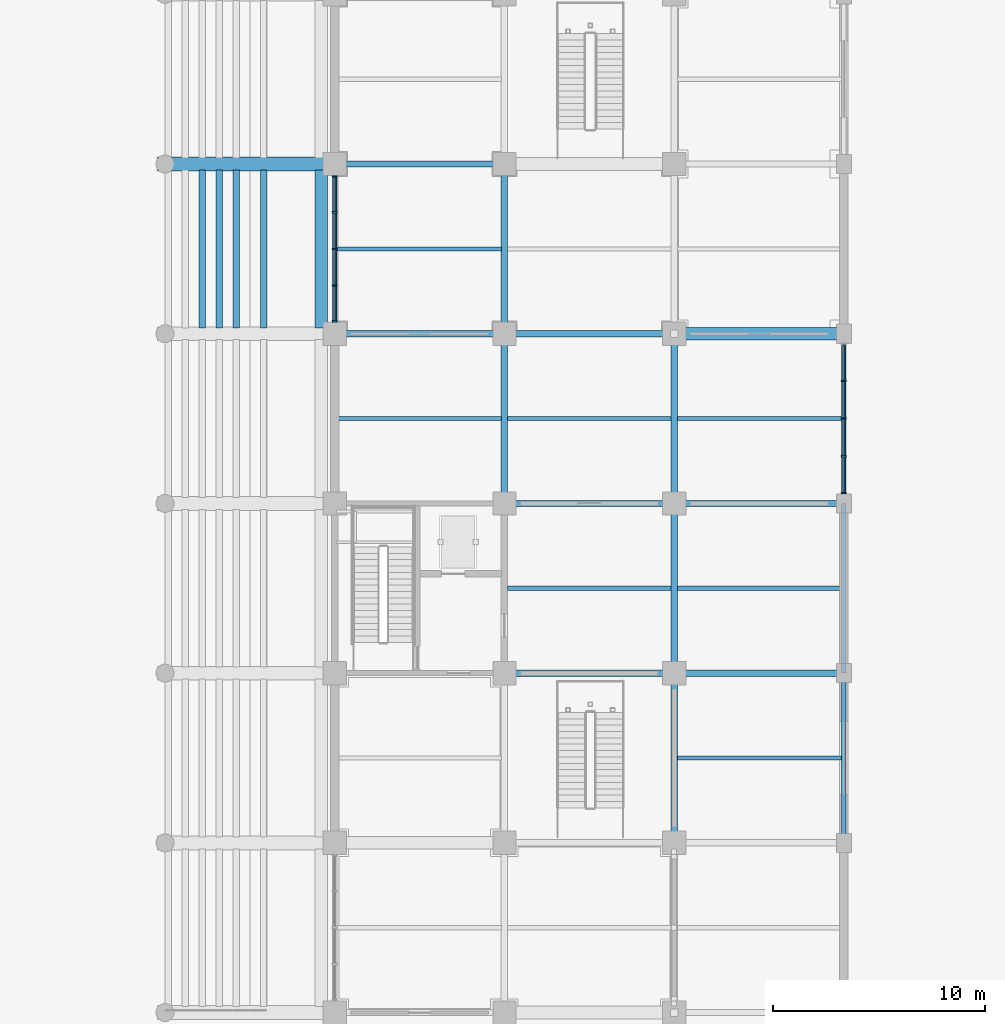
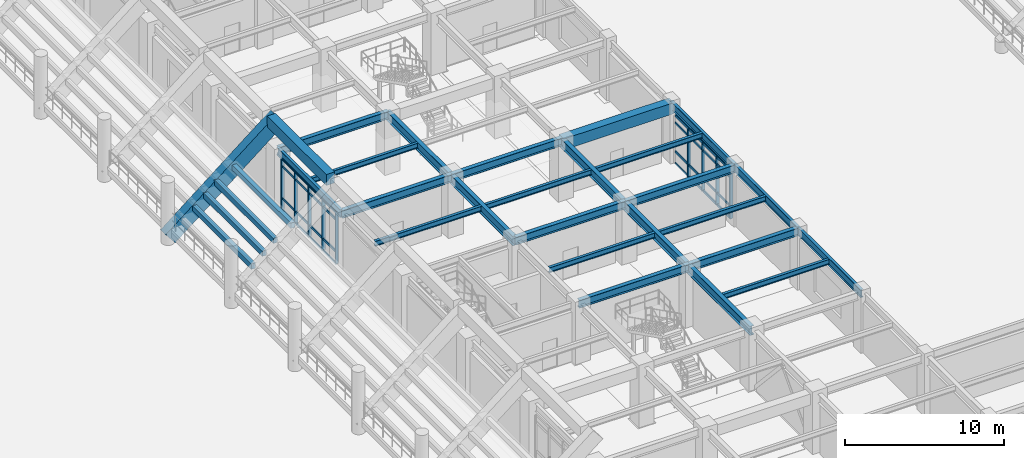
# One storey, part 36 of 125: 41 members, 30 beams, 2 elements without a shape of their own.
"""IFC4 building model written with IfcOpenShell, lengths in metres."""

from ifc_helpers import new_model, si_unit, direction, frame, origin, origin_2d, place, context, subcontext, project, spatial, rectangle, i_section, extrude, material, layer, layer_set, material_profile, profile_set, type_object, element, aggregate, save


model = new_model("IFC4")

# Units and contexts
model_context = context("Model", 3, precision=1e-05, world=origin(), true_north=direction((0.0, 1.0)))
body_context = subcontext(model_context, "Body", "Model", "MODEL_VIEW")
ifc_project = project(units=[si_unit("LENGTHUNIT", "METRE"), si_unit("AREAUNIT", "SQUARE_METRE"), si_unit("VOLUMEUNIT", "CUBIC_METRE"), si_unit("PLANEANGLEUNIT", "RADIAN"), si_unit("MASSUNIT", "GRAM", prefix="KILO")], contexts=[model_context])

# Site, building, storey
site_placement = place(None, origin())
site = spatial("IfcSite", under=ifc_project, at=site_placement, CompositionType="ELEMENT")
building_placement = place(site_placement, origin())
building = spatial("IfcBuilding", under=site, at=building_placement, Name="Haebicheon Civic Stadium", CompositionType="ELEMENT")
storey_placement = place(building_placement, origin())
storey = spatial("IfcBuildingStorey", under=building, at=storey_placement, Name="L01", CompositionType="ELEMENT", Elevation=0.0)

# Beams
ifc_material_1 = material(Name="Precast concrete C40/50", Category="concrete")
ifc_material_profile_1 = material_profile(ifc_material_1, rectangle(XDim=0.300048828125, YDim=0.39990234375, at=origin_2d()), Name="PC-LN-300x400")
ifc_profile_set_1 = profile_set([ifc_material_profile_1], Name="Precast concrete C40/50")
beam_type_1 = type_object("IfcBeamType", Name="BM-LN-300x400", PredefinedType="LINTEL", material=ifc_profile_set_1)
for number, where, z_axis, x_axis, name in (
    (1, (137.760009765625, 80.280029296875, 2.181884765625), (0.0, 1.0, 0.0), (-1.0, 0.0, 0.0), "TIER-E-L precast step carrier beam 5.3"),
    (2, (138.56005859375, 80.280029296875, 2.89306640625), (0.0, 1.0, 0.0), (-1.0, 0.0, 0.0), "TIER-E-L precast step carrier beam 5.4"),
    (3, (139.360107421875, 80.280029296875, 3.60400390625), (0.0, 1.0, 0.0), (-1.0, 0.0, 0.0), "TIER-E-L precast step carrier beam 5.5"),
    (4, (140.639892578125, 80.280029296875, 4.31591796875), (0.0, 1.0, 0.0), (-1.0, 0.0, 0.0), "TIER-E-L precast step carrier beam 5.6"),
):
    element("IfcBeam", number, at=place(storey_placement, frame(where, z_axis=z_axis, x_axis=x_axis)), inside=storey, type_object=beam_type_1, material=ifc_profile_set_1, Name=name, PredefinedType="LINTEL", context=body_context, shape_type="SweptSolid", body=[
        extrude(rectangle(XDim=0.300048828125, YDim=0.39990234375, at=origin_2d()), origin(), (0.0, 0.0, 1.0), 7.43994140625),
    ])
ifc_material_2 = material(Name="Steel SM355 (S355)", Category="steel")
ifc_material_profile_2 = material_profile(ifc_material_2, i_section(OverallWidth=0.300048828125, OverallDepth=0.60009765625, WebThickness=0.011962890625, FlangeThickness=0.02001953125, at=origin_2d()), Name="H-600x300x12x20")
ifc_profile_set_2 = profile_set([ifc_material_profile_2], Name="Steel SM355 (S355)")
beam_type_2 = type_object("IfcBeamType", Name="BM-ST-H600A", PredefinedType="BEAM", material=ifc_profile_set_2)
for number, where, z_axis, x_axis, name in (
    (5, (144.0, 80.0, 4.219970703125), (1.0, 0.0, 0.0), (0.0, 1.0, 0.0), "L01 beam L/19-20"),
    (6, (144.0, 88.0, 4.219970703125), (1.0, 0.0, 0.0), (0.0, 1.0, 0.0), "L01 beam M/19-20"),
    (7, (152.0, 64.0, 4.219970703125), (1.0, 0.0, 0.0), (0.0, 1.0, 0.0), "L01 beam J/20-21"),
    (8, (152.0, 72.0, 4.219970703125), (1.0, 0.0, 0.0), (0.0, 1.0, 0.0), "L01 beam K/20-21"),
    (9, (152.0, 80.0, 4.219970703125), (1.0, 0.0, 0.0), (0.0, 1.0, 0.0), "L01 beam L/20-21"),
    (10, (160.0, 64.0, 4.219970703125), (1.0, 0.0, 0.0), (0.0, 1.0, 0.0), "L01 beam J/21-22"),
    (11, (160.0, 72.0, 4.219970703125), (1.0, 0.0, 0.0), (0.0, 1.0, 0.0), "L01 beam K/21-22"),
):
    element("IfcBeam", number, at=place(storey_placement, frame(where, z_axis=z_axis, x_axis=x_axis)), inside=storey, type_object=beam_type_2, material=ifc_profile_set_2, Name=name, PredefinedType="BEAM", context=body_context, shape_type="SweptSolid", body=[
        extrude(i_section(OverallWidth=0.300048828125, OverallDepth=0.60009765625, WebThickness=0.011962890625, FlangeThickness=0.02001953125, at=origin_2d()), origin(), (0.0, 0.0, 1.0), 8.0),
    ])
ifc_material_3 = material(Name="Steel SM490", Category="steel")
ifc_material_profile_3 = material_profile(ifc_material_3, i_section(OverallWidth=0.300048828125, OverallDepth=0.699951171875, WebThickness=0.012939453125, FlangeThickness=0.02392578125, at=origin_2d()), Name="H-700x300x13x24")
ifc_profile_set_3 = profile_set([ifc_material_profile_3], Name="Steel SM490")
beam_type_3 = type_object("IfcBeamType", Name="BM-ST-H700", PredefinedType="BEAM", material=ifc_profile_set_3)
for number, where, z_axis, x_axis, name in (
    (12, (152.0, 72.0, 4.169921875), (0.0, 1.0, 0.0), (-1.0, 0.0, 0.0), "L01 girder 20/K-L"),
    (13, (152.0, 80.0, 4.169921875), (0.0, 1.0, 0.0), (-1.0, 0.0, 0.0), "L01 girder 20/L-M"),
    (14, (160.0, 56.0, 4.169921875), (0.0, 1.0, 0.0), (-1.0, 0.0, 0.0), "L01 girder 21/H-J"),
    (15, (160.0, 64.0, 4.169921875), (0.0, 1.0, 0.0), (-1.0, 0.0, 0.0), "L01 girder 21/J-K"),
    (16, (160.0, 72.0, 4.169921875), (0.0, 1.0, 0.0), (-1.0, 0.0, 0.0), "L01 girder 21/K-L"),
):
    element("IfcBeam", number, at=place(storey_placement, frame(where, z_axis=z_axis, x_axis=x_axis)), inside=storey, type_object=beam_type_3, material=ifc_profile_set_3, Name=name, PredefinedType="BEAM", context=body_context, shape_type="SweptSolid", body=[
        extrude(i_section(OverallWidth=0.300048828125, OverallDepth=0.699951171875, WebThickness=0.012939453125, FlangeThickness=0.02392578125, at=origin_2d()), origin(), (0.0, 0.0, 1.0), 8.0),
    ])
ifc_material_4 = material(Name="Precast concrete C40/50", Category="concrete")
ifc_material_profile_4 = material_profile(ifc_material_4, rectangle(XDim=0.60009765625, YDim=0.85009765625, at=origin_2d()), Name="PC-TB-600x850")
ifc_profile_set_4 = profile_set([ifc_material_profile_4], Name="Precast concrete C40/50")
beam_type_4 = type_object("IfcBeamType", Name="BM-TB-600x850", PredefinedType="T_BEAM", material=ifc_profile_set_4)
beam_1_placement = place(storey_placement, frame((160.0, 80.0, 4.094970703125), z_axis=(1.0, 0.0, 0.0), x_axis=(0.0, 1.0, 0.0)))
element("IfcBeam", 17, at=beam_1_placement, inside=storey, type_object=beam_type_4, material=ifc_profile_set_4, Name="L01 beam L/21-22", PredefinedType="T_BEAM", context=body_context, shape_type="SweptSolid", body=[
    extrude(rectangle(XDim=0.60009765625, YDim=0.85009765625, at=origin_2d()), origin(), (0.0, 0.0, 1.0), 8.0),
])
beam_2_placement = place(storey_placement, frame((143.360107421875, 80.280029296875, 6.93505859375), z_axis=(0.0, 1.0, 0.0), x_axis=(-1.0, 0.0, 0.0)))
element("IfcBeam", 18, at=beam_2_placement, inside=storey, type_object=beam_type_4, material=ifc_profile_set_4, Name="TIER-E-L upper tier bench carrier beam 5", PredefinedType="T_BEAM", context=body_context, shape_type="SweptSolid", body=[
    extrude(rectangle(XDim=0.60009765625, YDim=0.85009765625, at=origin_2d()), origin(), (0.0, 0.0, 1.0), 7.43994140625),
])

# Curtain wall, members
ifc_material_5 = material(Name="Anodised aluminium and laminated glass", Category="aluminium")
ifc_layer_1 = layer(ifc_material_5, 0.179931640625, Name="Anodised aluminium and laminated glass")
ifc_layer_set_1 = layer_set([ifc_layer_1], Name="Anodised aluminium and laminated glass")
curtain_wall_type_1 = type_object("IfcCurtainWallType", Name="CW-6900x3910", PredefinedType="NOTDEFINED", material=ifc_layer_set_1)
curtain_wall_1_placement = place(storey_placement, origin())
curtain_wall_1 = element("IfcCurtainWall", 19, at=curtain_wall_1_placement, inside=storey, type_object=curtain_wall_type_1, material=ifc_layer_set_1, Name="L01 unitised curtain wall 014", PredefinedType="NOTDEFINED")
ifc_material_6 = material(Name="Anodised aluminium 6063-T6", Category="aluminium")
ifc_material_profile_5 = material_profile(ifc_material_6, rectangle(XDim=0.080078125, YDim=0.239990234375, at=origin_2d()), Name="ALU-MULL-80x240")
ifc_profile_set_5 = profile_set([ifc_material_profile_5], Name="Anodised aluminium 6063-T6")
member_type_1 = type_object("IfcMemberType", Name="CWM-240x80", PredefinedType="MULLION", material=ifc_profile_set_5)
member_1_placement = place(storey_placement, frame((144.0, 80.590087890625, 0.0), z_axis=(0.0, 0.0, 1.0), x_axis=(0.0, 1.0, 0.0)))
member_1 = element("IfcMember", 20, at=member_1_placement, type_object=member_type_1, material=ifc_profile_set_5, Name="CW-L01-014 vertical mullion 1", PredefinedType="MULLION", context=body_context, shape_type="SweptSolid", body=[
    extrude(rectangle(XDim=0.080078125, YDim=0.239990234375, at=origin_2d()), origin(), (0.0, 0.0, 1.0), 3.909912109375),
])
member_2_placement = place(storey_placement, frame((144.0, 82.27490234375, 0.0), z_axis=(0.0, 0.0, 1.0), x_axis=(0.0, 1.0, 0.0)))
member_2 = element("IfcMember", 21, at=member_2_placement, type_object=member_type_1, material=ifc_profile_set_5, Name="CW-L01-014 vertical mullion 2", PredefinedType="MULLION", context=body_context, shape_type="SweptSolid", body=[
    extrude(rectangle(XDim=0.080078125, YDim=0.239990234375, at=origin_2d()), origin(), (0.0, 0.0, 1.0), 3.909912109375),
])
member_3_placement = place(storey_placement, frame((144.0, 84.0, 0.0), z_axis=(0.0, 0.0, 1.0), x_axis=(0.0, 1.0, 0.0)))
member_3 = element("IfcMember", 22, at=member_3_placement, type_object=member_type_1, material=ifc_profile_set_5, Name="CW-L01-014 vertical mullion 3", PredefinedType="MULLION", context=body_context, shape_type="SweptSolid", body=[
    extrude(rectangle(XDim=0.080078125, YDim=0.239990234375, at=origin_2d()), origin(), (0.0, 0.0, 1.0), 3.909912109375),
])
member_4_placement = place(storey_placement, frame((144.0, 85.72509765625, 0.0), z_axis=(0.0, 0.0, 1.0), x_axis=(0.0, 1.0, 0.0)))
member_4 = element("IfcMember", 23, at=member_4_placement, type_object=member_type_1, material=ifc_profile_set_5, Name="CW-L01-014 vertical mullion 4", PredefinedType="MULLION", context=body_context, shape_type="SweptSolid", body=[
    extrude(rectangle(XDim=0.080078125, YDim=0.239990234375, at=origin_2d()), origin(), (0.0, 0.0, 1.0), 3.909912109375),
])
member_5_placement = place(storey_placement, frame((144.0, 87.409912109375, 0.0), z_axis=(0.0, 0.0, 1.0), x_axis=(0.0, 1.0, 0.0)))
member_5 = element("IfcMember", 24, at=member_5_placement, type_object=member_type_1, material=ifc_profile_set_5, Name="CW-L01-014 vertical mullion 5", PredefinedType="MULLION", context=body_context, shape_type="SweptSolid", body=[
    extrude(rectangle(XDim=0.080078125, YDim=0.239990234375, at=origin_2d()), origin(), (0.0, 0.0, 1.0), 3.909912109375),
])

ifc_material_7 = material(Name="Anodised aluminium and laminated glass", Category="aluminium")
ifc_layer_2 = layer(ifc_material_7, 0.179931640625, Name="Anodised aluminium and laminated glass")
ifc_layer_set_2 = layer_set([ifc_layer_2], Name="Anodised aluminium and laminated glass")
curtain_wall_type_2 = type_object("IfcCurtainWallType", Name="CW-7100x3660", PredefinedType="NOTDEFINED", material=ifc_layer_set_2)
curtain_wall_2_placement = place(storey_placement, origin())
curtain_wall_2 = element("IfcCurtainWall", 25, at=curtain_wall_2_placement, inside=storey, type_object=curtain_wall_type_2, material=ifc_layer_set_2, Name="L01 unitised curtain wall 018", PredefinedType="NOTDEFINED")
member_6_placement = place(storey_placement, frame((168.0, 72.489990234375, 0.0), z_axis=(0.0, 0.0, 1.0), x_axis=(0.0, 1.0, 0.0)))
member_6 = element("IfcMember", 26, at=member_6_placement, type_object=member_type_1, material=ifc_profile_set_5, Name="CW-L01-018 vertical mullion 1", PredefinedType="MULLION", context=body_context, shape_type="SweptSolid", body=[
    extrude(rectangle(XDim=0.080078125, YDim=0.239990234375, at=origin_2d()), origin(), (0.0, 0.0, 1.0), 3.659912109375),
])
member_7_placement = place(storey_placement, frame((168.0, 74.22509765625, 0.0), z_axis=(0.0, 0.0, 1.0), x_axis=(0.0, 1.0, 0.0)))
member_7 = element("IfcMember", 27, at=member_7_placement, type_object=member_type_1, material=ifc_profile_set_5, Name="CW-L01-018 vertical mullion 2", PredefinedType="MULLION", context=body_context, shape_type="SweptSolid", body=[
    extrude(rectangle(XDim=0.080078125, YDim=0.239990234375, at=origin_2d()), origin(), (0.0, 0.0, 1.0), 3.659912109375),
])
member_8_placement = place(storey_placement, frame((168.0, 76.0, 0.0), z_axis=(0.0, 0.0, 1.0), x_axis=(0.0, 1.0, 0.0)))
member_8 = element("IfcMember", 28, at=member_8_placement, type_object=member_type_1, material=ifc_profile_set_5, Name="CW-L01-018 vertical mullion 3", PredefinedType="MULLION", context=body_context, shape_type="SweptSolid", body=[
    extrude(rectangle(XDim=0.080078125, YDim=0.239990234375, at=origin_2d()), origin(), (0.0, 0.0, 1.0), 3.659912109375),
])
member_9_placement = place(storey_placement, frame((168.0, 77.77490234375, 0.0), z_axis=(0.0, 0.0, 1.0), x_axis=(0.0, 1.0, 0.0)))
member_9 = element("IfcMember", 29, at=member_9_placement, type_object=member_type_1, material=ifc_profile_set_5, Name="CW-L01-018 vertical mullion 4", PredefinedType="MULLION", context=body_context, shape_type="SweptSolid", body=[
    extrude(rectangle(XDim=0.080078125, YDim=0.239990234375, at=origin_2d()), origin(), (0.0, 0.0, 1.0), 3.659912109375),
])

# Member
ifc_material_8 = material(Name="Anodised aluminium 6063-T6", Category="aluminium")
ifc_material_profile_6 = material_profile(ifc_material_8, rectangle(XDim=0.080078125, YDim=0.179931640625, at=origin_2d()), Name="ALU-TRAN-80x180")
ifc_profile_set_6 = profile_set([ifc_material_profile_6], Name="Anodised aluminium 6063-T6")
member_type_2 = type_object("IfcMemberType", Name="CWT-180x80", PredefinedType="NOTDEFINED", material=ifc_profile_set_6)
member_10_placement = place(storey_placement, frame((144.0, 80.6298828125, 0.0), z_axis=(0.0, 1.0, 0.0), x_axis=(-1.0, 0.0, 0.0)))
member_10 = element("IfcMember", 30, at=member_10_placement, type_object=member_type_2, material=ifc_profile_set_6, Name="CW-L01-014 horizontal transom 1.1", ObjectType="TRANSOM", PredefinedType="USERDEFINED", context=body_context, shape_type="SweptSolid", body=[
    extrude(rectangle(XDim=0.080078125, YDim=0.179931640625, at=origin_2d()), origin(), (0.0, 0.0, 1.0), 1.605224609375),
])

member_11_placement = place(storey_placement, frame((144.0, 80.6298828125, 0.89990234375), z_axis=(0.0, 1.0, 0.0), x_axis=(-1.0, 0.0, 0.0)))
member_11 = element("IfcMember", 31, at=member_11_placement, type_object=member_type_2, material=ifc_profile_set_6, Name="CW-L01-014 horizontal transom 1.2", ObjectType="TRANSOM", PredefinedType="USERDEFINED", context=body_context, shape_type="SweptSolid", body=[
    extrude(rectangle(XDim=0.080078125, YDim=0.179931640625, at=origin_2d()), origin(), (0.0, 0.0, 1.0), 1.605224609375),
])

member_12_placement = place(storey_placement, frame((144.0, 80.6298828125, 3.360107421875), z_axis=(0.0, 1.0, 0.0), x_axis=(-1.0, 0.0, 0.0)))
member_12 = element("IfcMember", 32, at=member_12_placement, type_object=member_type_2, material=ifc_profile_set_6, Name="CW-L01-014 horizontal transom 1.3", ObjectType="TRANSOM", PredefinedType="USERDEFINED", context=body_context, shape_type="SweptSolid", body=[
    extrude(rectangle(XDim=0.080078125, YDim=0.179931640625, at=origin_2d()), origin(), (0.0, 0.0, 1.0), 1.605224609375),
])

member_13_placement = place(storey_placement, frame((144.0, 80.6298828125, 3.909912109375), z_axis=(0.0, 1.0, 0.0), x_axis=(-1.0, 0.0, 0.0)))
member_13 = element("IfcMember", 33, at=member_13_placement, type_object=member_type_2, material=ifc_profile_set_6, Name="CW-L01-014 horizontal transom 1.4", ObjectType="TRANSOM", PredefinedType="USERDEFINED", context=body_context, shape_type="SweptSolid", body=[
    extrude(rectangle(XDim=0.080078125, YDim=0.179931640625, at=origin_2d()), origin(), (0.0, 0.0, 1.0), 1.605224609375),
])

member_14_placement = place(storey_placement, frame((144.0, 82.31494140625, 0.0), z_axis=(0.0, 1.0, 0.0), x_axis=(-1.0, 0.0, 0.0)))
member_14 = element("IfcMember", 34, at=member_14_placement, type_object=member_type_2, material=ifc_profile_set_6, Name="CW-L01-014 horizontal transom 2.1", ObjectType="TRANSOM", PredefinedType="USERDEFINED", context=body_context, shape_type="SweptSolid", body=[
    extrude(rectangle(XDim=0.080078125, YDim=0.179931640625, at=origin_2d()), origin(), (0.0, 0.0, 1.0), 1.64501953125),
])

member_15_placement = place(storey_placement, frame((144.0, 82.31494140625, 0.89990234375), z_axis=(0.0, 1.0, 0.0), x_axis=(-1.0, 0.0, 0.0)))
member_15 = element("IfcMember", 35, at=member_15_placement, type_object=member_type_2, material=ifc_profile_set_6, Name="CW-L01-014 horizontal transom 2.2", ObjectType="TRANSOM", PredefinedType="USERDEFINED", context=body_context, shape_type="SweptSolid", body=[
    extrude(rectangle(XDim=0.080078125, YDim=0.179931640625, at=origin_2d()), origin(), (0.0, 0.0, 1.0), 1.64501953125),
])

member_16_placement = place(storey_placement, frame((144.0, 82.31494140625, 3.360107421875), z_axis=(0.0, 1.0, 0.0), x_axis=(-1.0, 0.0, 0.0)))
member_16 = element("IfcMember", 36, at=member_16_placement, type_object=member_type_2, material=ifc_profile_set_6, Name="CW-L01-014 horizontal transom 2.3", ObjectType="TRANSOM", PredefinedType="USERDEFINED", context=body_context, shape_type="SweptSolid", body=[
    extrude(rectangle(XDim=0.080078125, YDim=0.179931640625, at=origin_2d()), origin(), (0.0, 0.0, 1.0), 1.64501953125),
])

member_17_placement = place(storey_placement, frame((144.0, 82.31494140625, 3.909912109375), z_axis=(0.0, 1.0, 0.0), x_axis=(-1.0, 0.0, 0.0)))
member_17 = element("IfcMember", 37, at=member_17_placement, type_object=member_type_2, material=ifc_profile_set_6, Name="CW-L01-014 horizontal transom 2.4", ObjectType="TRANSOM", PredefinedType="USERDEFINED", context=body_context, shape_type="SweptSolid", body=[
    extrude(rectangle(XDim=0.080078125, YDim=0.179931640625, at=origin_2d()), origin(), (0.0, 0.0, 1.0), 1.64501953125),
])

member_18_placement = place(storey_placement, frame((144.0, 84.0400390625, 0.0), z_axis=(0.0, 1.0, 0.0), x_axis=(-1.0, 0.0, 0.0)))
member_18 = element("IfcMember", 38, at=member_18_placement, type_object=member_type_2, material=ifc_profile_set_6, Name="CW-L01-014 horizontal transom 3.1", ObjectType="TRANSOM", PredefinedType="USERDEFINED", context=body_context, shape_type="SweptSolid", body=[
    extrude(rectangle(XDim=0.080078125, YDim=0.179931640625, at=origin_2d()), origin(), (0.0, 0.0, 1.0), 1.64501953125),
])

member_19_placement = place(storey_placement, frame((144.0, 84.0400390625, 0.89990234375), z_axis=(0.0, 1.0, 0.0), x_axis=(-1.0, 0.0, 0.0)))
member_19 = element("IfcMember", 39, at=member_19_placement, type_object=member_type_2, material=ifc_profile_set_6, Name="CW-L01-014 horizontal transom 3.2", ObjectType="TRANSOM", PredefinedType="USERDEFINED", context=body_context, shape_type="SweptSolid", body=[
    extrude(rectangle(XDim=0.080078125, YDim=0.179931640625, at=origin_2d()), origin(), (0.0, 0.0, 1.0), 1.64501953125),
])

member_20_placement = place(storey_placement, frame((144.0, 84.0400390625, 3.360107421875), z_axis=(0.0, 1.0, 0.0), x_axis=(-1.0, 0.0, 0.0)))
member_20 = element("IfcMember", 40, at=member_20_placement, type_object=member_type_2, material=ifc_profile_set_6, Name="CW-L01-014 horizontal transom 3.3", ObjectType="TRANSOM", PredefinedType="USERDEFINED", context=body_context, shape_type="SweptSolid", body=[
    extrude(rectangle(XDim=0.080078125, YDim=0.179931640625, at=origin_2d()), origin(), (0.0, 0.0, 1.0), 1.64501953125),
])

member_21_placement = place(storey_placement, frame((144.0, 84.0400390625, 3.909912109375), z_axis=(0.0, 1.0, 0.0), x_axis=(-1.0, 0.0, 0.0)))
member_21 = element("IfcMember", 41, at=member_21_placement, type_object=member_type_2, material=ifc_profile_set_6, Name="CW-L01-014 horizontal transom 3.4", ObjectType="TRANSOM", PredefinedType="USERDEFINED", context=body_context, shape_type="SweptSolid", body=[
    extrude(rectangle(XDim=0.080078125, YDim=0.179931640625, at=origin_2d()), origin(), (0.0, 0.0, 1.0), 1.64501953125),
])

member_22_placement = place(storey_placement, frame((144.0, 85.764892578125, 0.0), z_axis=(0.0, 1.0, 0.0), x_axis=(-1.0, 0.0, 0.0)))
member_22 = element("IfcMember", 42, at=member_22_placement, type_object=member_type_2, material=ifc_profile_set_6, Name="CW-L01-014 horizontal transom 4.1", ObjectType="TRANSOM", PredefinedType="USERDEFINED", context=body_context, shape_type="SweptSolid", body=[
    extrude(rectangle(XDim=0.080078125, YDim=0.179931640625, at=origin_2d()), origin(), (0.0, 0.0, 1.0), 1.605224609375),
])

member_23_placement = place(storey_placement, frame((144.0, 85.764892578125, 0.89990234375), z_axis=(0.0, 1.0, 0.0), x_axis=(-1.0, 0.0, 0.0)))
member_23 = element("IfcMember", 43, at=member_23_placement, type_object=member_type_2, material=ifc_profile_set_6, Name="CW-L01-014 horizontal transom 4.2", ObjectType="TRANSOM", PredefinedType="USERDEFINED", context=body_context, shape_type="SweptSolid", body=[
    extrude(rectangle(XDim=0.080078125, YDim=0.179931640625, at=origin_2d()), origin(), (0.0, 0.0, 1.0), 1.605224609375),
])

member_24_placement = place(storey_placement, frame((144.0, 85.764892578125, 3.360107421875), z_axis=(0.0, 1.0, 0.0), x_axis=(-1.0, 0.0, 0.0)))
member_24 = element("IfcMember", 44, at=member_24_placement, type_object=member_type_2, material=ifc_profile_set_6, Name="CW-L01-014 horizontal transom 4.3", ObjectType="TRANSOM", PredefinedType="USERDEFINED", context=body_context, shape_type="SweptSolid", body=[
    extrude(rectangle(XDim=0.080078125, YDim=0.179931640625, at=origin_2d()), origin(), (0.0, 0.0, 1.0), 1.605224609375),
])

member_25_placement = place(storey_placement, frame((144.0, 85.764892578125, 3.909912109375), z_axis=(0.0, 1.0, 0.0), x_axis=(-1.0, 0.0, 0.0)))
member_25 = element("IfcMember", 45, at=member_25_placement, type_object=member_type_2, material=ifc_profile_set_6, Name="CW-L01-014 horizontal transom 4.4", ObjectType="TRANSOM", PredefinedType="USERDEFINED", context=body_context, shape_type="SweptSolid", body=[
    extrude(rectangle(XDim=0.080078125, YDim=0.179931640625, at=origin_2d()), origin(), (0.0, 0.0, 1.0), 1.605224609375),
])

aggregate(curtain_wall_1, [member_1, member_2, member_3, member_4, member_5, member_10, member_11, member_12, member_13, member_14, member_15, member_16, member_17, member_18, member_19, member_20, member_21, member_22, member_23, member_24, member_25])

member_26_placement = place(storey_placement, frame((168.0, 72.530029296875, 0.0), z_axis=(0.0, 1.0, 0.0), x_axis=(-1.0, 0.0, 0.0)))
member_26 = element("IfcMember", 46, at=member_26_placement, type_object=member_type_2, material=ifc_profile_set_6, Name="CW-L01-018 horizontal transom 1.1", ObjectType="TRANSOM", PredefinedType="USERDEFINED", context=body_context, shape_type="SweptSolid", body=[
    extrude(rectangle(XDim=0.080078125, YDim=0.179931640625, at=origin_2d()), origin(), (0.0, 0.0, 1.0), 1.655029296875),
])

member_27_placement = place(storey_placement, frame((168.0, 72.530029296875, 0.89990234375), z_axis=(0.0, 1.0, 0.0), x_axis=(-1.0, 0.0, 0.0)))
member_27 = element("IfcMember", 47, at=member_27_placement, type_object=member_type_2, material=ifc_profile_set_6, Name="CW-L01-018 horizontal transom 1.2", ObjectType="TRANSOM", PredefinedType="USERDEFINED", context=body_context, shape_type="SweptSolid", body=[
    extrude(rectangle(XDim=0.080078125, YDim=0.179931640625, at=origin_2d()), origin(), (0.0, 0.0, 1.0), 1.655029296875),
])

member_28_placement = place(storey_placement, frame((168.0, 72.530029296875, 3.110107421875), z_axis=(0.0, 1.0, 0.0), x_axis=(-1.0, 0.0, 0.0)))
member_28 = element("IfcMember", 48, at=member_28_placement, type_object=member_type_2, material=ifc_profile_set_6, Name="CW-L01-018 horizontal transom 1.3", ObjectType="TRANSOM", PredefinedType="USERDEFINED", context=body_context, shape_type="SweptSolid", body=[
    extrude(rectangle(XDim=0.080078125, YDim=0.179931640625, at=origin_2d()), origin(), (0.0, 0.0, 1.0), 1.655029296875),
])

member_29_placement = place(storey_placement, frame((168.0, 72.530029296875, 3.659912109375), z_axis=(0.0, 1.0, 0.0), x_axis=(-1.0, 0.0, 0.0)))
member_29 = element("IfcMember", 49, at=member_29_placement, type_object=member_type_2, material=ifc_profile_set_6, Name="CW-L01-018 horizontal transom 1.4", ObjectType="TRANSOM", PredefinedType="USERDEFINED", context=body_context, shape_type="SweptSolid", body=[
    extrude(rectangle(XDim=0.080078125, YDim=0.179931640625, at=origin_2d()), origin(), (0.0, 0.0, 1.0), 1.655029296875),
])

member_30_placement = place(storey_placement, frame((168.0, 74.264892578125, 0.0), z_axis=(0.0, 1.0, 0.0), x_axis=(-1.0, 0.0, 0.0)))
member_30 = element("IfcMember", 50, at=member_30_placement, type_object=member_type_2, material=ifc_profile_set_6, Name="CW-L01-018 horizontal transom 2.1", ObjectType="TRANSOM", PredefinedType="USERDEFINED", context=body_context, shape_type="SweptSolid", body=[
    extrude(rectangle(XDim=0.080078125, YDim=0.179931640625, at=origin_2d()), origin(), (0.0, 0.0, 1.0), 1.695068359375),
])

member_31_placement = place(storey_placement, frame((168.0, 74.264892578125, 0.89990234375), z_axis=(0.0, 1.0, 0.0), x_axis=(-1.0, 0.0, 0.0)))
member_31 = element("IfcMember", 51, at=member_31_placement, type_object=member_type_2, material=ifc_profile_set_6, Name="CW-L01-018 horizontal transom 2.2", ObjectType="TRANSOM", PredefinedType="USERDEFINED", context=body_context, shape_type="SweptSolid", body=[
    extrude(rectangle(XDim=0.080078125, YDim=0.179931640625, at=origin_2d()), origin(), (0.0, 0.0, 1.0), 1.695068359375),
])

member_32_placement = place(storey_placement, frame((168.0, 74.264892578125, 3.110107421875), z_axis=(0.0, 1.0, 0.0), x_axis=(-1.0, 0.0, 0.0)))
member_32 = element("IfcMember", 52, at=member_32_placement, type_object=member_type_2, material=ifc_profile_set_6, Name="CW-L01-018 horizontal transom 2.3", ObjectType="TRANSOM", PredefinedType="USERDEFINED", context=body_context, shape_type="SweptSolid", body=[
    extrude(rectangle(XDim=0.080078125, YDim=0.179931640625, at=origin_2d()), origin(), (0.0, 0.0, 1.0), 1.695068359375),
])

member_33_placement = place(storey_placement, frame((168.0, 74.264892578125, 3.659912109375), z_axis=(0.0, 1.0, 0.0), x_axis=(-1.0, 0.0, 0.0)))
member_33 = element("IfcMember", 53, at=member_33_placement, type_object=member_type_2, material=ifc_profile_set_6, Name="CW-L01-018 horizontal transom 2.4", ObjectType="TRANSOM", PredefinedType="USERDEFINED", context=body_context, shape_type="SweptSolid", body=[
    extrude(rectangle(XDim=0.080078125, YDim=0.179931640625, at=origin_2d()), origin(), (0.0, 0.0, 1.0), 1.695068359375),
])

member_34_placement = place(storey_placement, frame((168.0, 76.0400390625, 0.0), z_axis=(0.0, 1.0, 0.0), x_axis=(-1.0, 0.0, 0.0)))
member_34 = element("IfcMember", 54, at=member_34_placement, type_object=member_type_2, material=ifc_profile_set_6, Name="CW-L01-018 horizontal transom 3.1", ObjectType="TRANSOM", PredefinedType="USERDEFINED", context=body_context, shape_type="SweptSolid", body=[
    extrude(rectangle(XDim=0.080078125, YDim=0.179931640625, at=origin_2d()), origin(), (0.0, 0.0, 1.0), 1.695068359375),
])

member_35_placement = place(storey_placement, frame((168.0, 76.0400390625, 0.89990234375), z_axis=(0.0, 1.0, 0.0), x_axis=(-1.0, 0.0, 0.0)))
member_35 = element("IfcMember", 55, at=member_35_placement, type_object=member_type_2, material=ifc_profile_set_6, Name="CW-L01-018 horizontal transom 3.2", ObjectType="TRANSOM", PredefinedType="USERDEFINED", context=body_context, shape_type="SweptSolid", body=[
    extrude(rectangle(XDim=0.080078125, YDim=0.179931640625, at=origin_2d()), origin(), (0.0, 0.0, 1.0), 1.695068359375),
])

member_36_placement = place(storey_placement, frame((168.0, 76.0400390625, 3.110107421875), z_axis=(0.0, 1.0, 0.0), x_axis=(-1.0, 0.0, 0.0)))
member_36 = element("IfcMember", 56, at=member_36_placement, type_object=member_type_2, material=ifc_profile_set_6, Name="CW-L01-018 horizontal transom 3.3", ObjectType="TRANSOM", PredefinedType="USERDEFINED", context=body_context, shape_type="SweptSolid", body=[
    extrude(rectangle(XDim=0.080078125, YDim=0.179931640625, at=origin_2d()), origin(), (0.0, 0.0, 1.0), 1.695068359375),
])

member_37_placement = place(storey_placement, frame((168.0, 76.0400390625, 3.659912109375), z_axis=(0.0, 1.0, 0.0), x_axis=(-1.0, 0.0, 0.0)))
member_37 = element("IfcMember", 57, at=member_37_placement, type_object=member_type_2, material=ifc_profile_set_6, Name="CW-L01-018 horizontal transom 3.4", ObjectType="TRANSOM", PredefinedType="USERDEFINED", context=body_context, shape_type="SweptSolid", body=[
    extrude(rectangle(XDim=0.080078125, YDim=0.179931640625, at=origin_2d()), origin(), (0.0, 0.0, 1.0), 1.695068359375),
])

member_38_placement = place(storey_placement, frame((168.0, 77.81494140625, 0.0), z_axis=(0.0, 1.0, 0.0), x_axis=(-1.0, 0.0, 0.0)))
member_38 = element("IfcMember", 58, at=member_38_placement, type_object=member_type_2, material=ifc_profile_set_6, Name="CW-L01-018 horizontal transom 4.1", ObjectType="TRANSOM", PredefinedType="USERDEFINED", context=body_context, shape_type="SweptSolid", body=[
    extrude(rectangle(XDim=0.080078125, YDim=0.179931640625, at=origin_2d()), origin(), (0.0, 0.0, 1.0), 1.655029296875),
])

member_39_placement = place(storey_placement, frame((168.0, 77.81494140625, 0.89990234375), z_axis=(0.0, 1.0, 0.0), x_axis=(-1.0, 0.0, 0.0)))
member_39 = element("IfcMember", 59, at=member_39_placement, type_object=member_type_2, material=ifc_profile_set_6, Name="CW-L01-018 horizontal transom 4.2", ObjectType="TRANSOM", PredefinedType="USERDEFINED", context=body_context, shape_type="SweptSolid", body=[
    extrude(rectangle(XDim=0.080078125, YDim=0.179931640625, at=origin_2d()), origin(), (0.0, 0.0, 1.0), 1.655029296875),
])

member_40_placement = place(storey_placement, frame((168.0, 77.81494140625, 3.110107421875), z_axis=(0.0, 1.0, 0.0), x_axis=(-1.0, 0.0, 0.0)))
member_40 = element("IfcMember", 60, at=member_40_placement, type_object=member_type_2, material=ifc_profile_set_6, Name="CW-L01-018 horizontal transom 4.3", ObjectType="TRANSOM", PredefinedType="USERDEFINED", context=body_context, shape_type="SweptSolid", body=[
    extrude(rectangle(XDim=0.080078125, YDim=0.179931640625, at=origin_2d()), origin(), (0.0, 0.0, 1.0), 1.655029296875),
])

member_41_placement = place(storey_placement, frame((168.0, 77.81494140625, 3.659912109375), z_axis=(0.0, 1.0, 0.0), x_axis=(-1.0, 0.0, 0.0)))
member_41 = element("IfcMember", 61, at=member_41_placement, type_object=member_type_2, material=ifc_profile_set_6, Name="CW-L01-018 horizontal transom 4.4", ObjectType="TRANSOM", PredefinedType="USERDEFINED", context=body_context, shape_type="SweptSolid", body=[
    extrude(rectangle(XDim=0.080078125, YDim=0.179931640625, at=origin_2d()), origin(), (0.0, 0.0, 1.0), 1.655029296875),
])

aggregate(curtain_wall_2, [member_6, member_7, member_8, member_9, member_26, member_27, member_28, member_29, member_30, member_31, member_32, member_33, member_34, member_35, member_36, member_37, member_38, member_39, member_40, member_41])

# Beams
ifc_material_9 = material(Name="Steel SM355 (S355)", Category="steel")
ifc_material_profile_7 = material_profile(ifc_material_9, i_section(OverallWidth=0.199951171875, OverallDepth=0.39990234375, WebThickness=0.008056640625, FlangeThickness=0.012939453125, at=origin_2d()), Name="H-400x200x8x13")
ifc_profile_set_7 = profile_set([ifc_material_profile_7], Name="Steel SM355 (S355)")
beam_type_5 = type_object("IfcBeamType", Name="JST-ST-H400", PredefinedType="JOIST", material=ifc_profile_set_7)
for number, where, z_axis, x_axis, name in (
    (62, (144.10009765625, 76.0, 4.320068359375), (1.0, 0.0, 0.0), (0.0, 1.0, 0.0), "L01 secondary joist 18-09"),
    (63, (144.10009765625, 84.0, 4.320068359375), (1.0, 0.0, 0.0), (0.0, 1.0, 0.0), "L01 secondary joist 18-10"),
):
    element("IfcBeam", number, at=place(storey_placement, frame(where, z_axis=z_axis, x_axis=x_axis)), inside=storey, type_object=beam_type_5, material=ifc_profile_set_7, Name=name, PredefinedType="JOIST", context=body_context, shape_type="SweptSolid", body=[
        extrude(i_section(OverallWidth=0.199951171875, OverallDepth=0.39990234375, WebThickness=0.008056640625, FlangeThickness=0.012939453125, at=origin_2d()), origin(), (0.0, 0.0, 1.0), 7.75),
    ])
for number, where, z_axis, x_axis, name in (
    (64, (152.14990234375, 68.0, 4.320068359375), (1.0, 0.0, 0.0), (0.0, 1.0, 0.0), "L01 secondary joist 19-08"),
    (65, (152.14990234375, 76.0, 4.320068359375), (1.0, 0.0, 0.0), (0.0, 1.0, 0.0), "L01 secondary joist 19-09"),
):
    element("IfcBeam", number, at=place(storey_placement, frame(where, z_axis=z_axis, x_axis=x_axis)), inside=storey, type_object=beam_type_5, material=ifc_profile_set_7, Name=name, PredefinedType="JOIST", context=body_context, shape_type="SweptSolid", body=[
        extrude(i_section(OverallWidth=0.199951171875, OverallDepth=0.39990234375, WebThickness=0.008056640625, FlangeThickness=0.012939453125, at=origin_2d()), origin(), (0.0, 0.0, 1.0), 7.7001953125),
    ])
for number, where, z_axis, x_axis, name in (
    (66, (160.14990234375, 60.0, 4.320068359375), (1.0, 0.0, 0.0), (0.0, 1.0, 0.0), "L01 secondary joist 20-07"),
    (67, (160.14990234375, 68.0, 4.320068359375), (1.0, 0.0, 0.0), (0.0, 1.0, 0.0), "L01 secondary joist 20-08"),
    (68, (160.14990234375, 76.0, 4.320068359375), (1.0, 0.0, 0.0), (0.0, 1.0, 0.0), "L01 secondary joist 20-09"),
):
    element("IfcBeam", number, at=place(storey_placement, frame(where, z_axis=z_axis, x_axis=x_axis)), inside=storey, type_object=beam_type_5, material=ifc_profile_set_7, Name=name, PredefinedType="JOIST", context=body_context, shape_type="SweptSolid", body=[
        extrude(i_section(OverallWidth=0.199951171875, OverallDepth=0.39990234375, WebThickness=0.008056640625, FlangeThickness=0.012939453125, at=origin_2d()), origin(), (0.0, 0.0, 1.0), 7.75),
    ])
ifc_material_10 = material(Name="Precast concrete C40/50", Category="concrete")
ifc_material_profile_8 = material_profile(ifc_material_10, rectangle(XDim=0.64990234375, YDim=1.10009765625, at=origin_2d()), Name="PC-RK-650x1100")
ifc_profile_set_8 = profile_set([ifc_material_profile_8], Name="Precast concrete C40/50")
beam_type_6 = type_object("IfcBeamType", Name="RK-PC-650x1100", PredefinedType="USERDEFINED", material=ifc_profile_set_8)
beam_3_placement = place(storey_placement, frame((136.0, 88.0, 0.409912109375), z_axis=(0.780861834757, 0.0, 0.624703765813), x_axis=(0.0, 1.0, 0.0)))
element("IfcBeam", 69, at=beam_3_placement, inside=storey, type_object=beam_type_6, material=ifc_profile_set_8, Name="TIER-E-L inclined precast raker beam 6", ObjectType="RAKER BEAM", PredefinedType="USERDEFINED", context=body_context, shape_type="SweptSolid", body=[
    extrude(rectangle(XDim=0.64990234375, YDim=1.10009765625, at=origin_2d()), origin(), (0.0, 0.0, 1.0), 10.2451171875),
])
ifc_material_11 = material(Name="Steel SM355 (S355)", Category="steel")
ifc_material_profile_9 = material_profile(ifc_material_11, i_section(OverallWidth=0.199951171875, OverallDepth=0.60009765625, WebThickness=0.010986328125, FlangeThickness=0.01708984375, at=origin_2d()), Name="H-600x200x11x17")
ifc_profile_set_9 = profile_set([ifc_material_profile_9], Name="Steel SM355 (S355)")
beam_type_7 = type_object("IfcBeamType", Name="SPD-ST-H600B", PredefinedType="SPANDREL", material=ifc_profile_set_9)
for number, where, z_axis, x_axis, name in (
    (70, (144.0, 80.0, 4.219970703125), (0.0, 1.0, 0.0), (-1.0, 0.0, 0.0), "L01 girder 19/L-M"),
    (71, (168.0, 56.0, 4.219970703125), (0.0, 1.0, 0.0), (-1.0, 0.0, 0.0), "L01 girder 22/H-J"),
    (72, (168.0, 64.0, 4.219970703125), (0.0, 1.0, 0.0), (-1.0, 0.0, 0.0), "L01 girder 22/J-K"),
    (73, (168.0, 72.0, 4.219970703125), (0.0, 1.0, 0.0), (-1.0, 0.0, 0.0), "L01 girder 22/K-L"),
):
    element("IfcBeam", number, at=place(storey_placement, frame(where, z_axis=z_axis, x_axis=x_axis)), inside=storey, type_object=beam_type_7, material=ifc_profile_set_9, Name=name, PredefinedType="SPANDREL", context=body_context, shape_type="SweptSolid", body=[
        extrude(i_section(OverallWidth=0.199951171875, OverallDepth=0.60009765625, WebThickness=0.010986328125, FlangeThickness=0.01708984375, at=origin_2d()), origin(), (0.0, 0.0, 1.0), 8.0),
    ])

save(model, "model.ifc")
